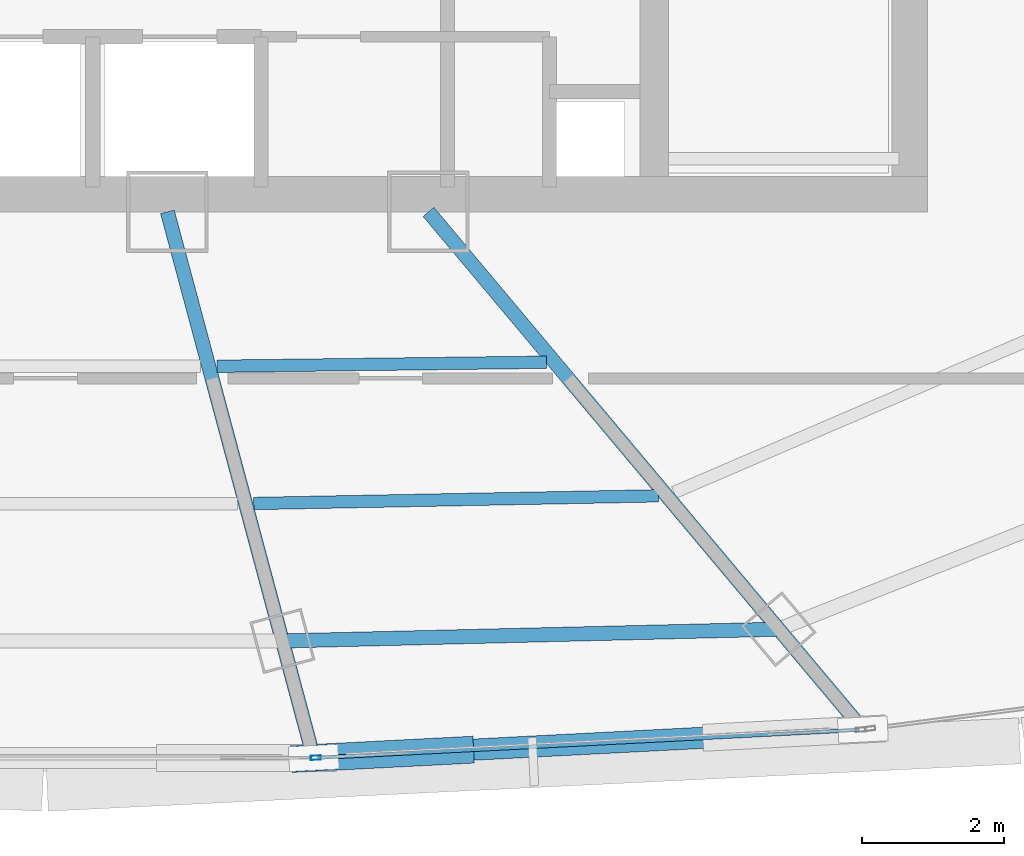
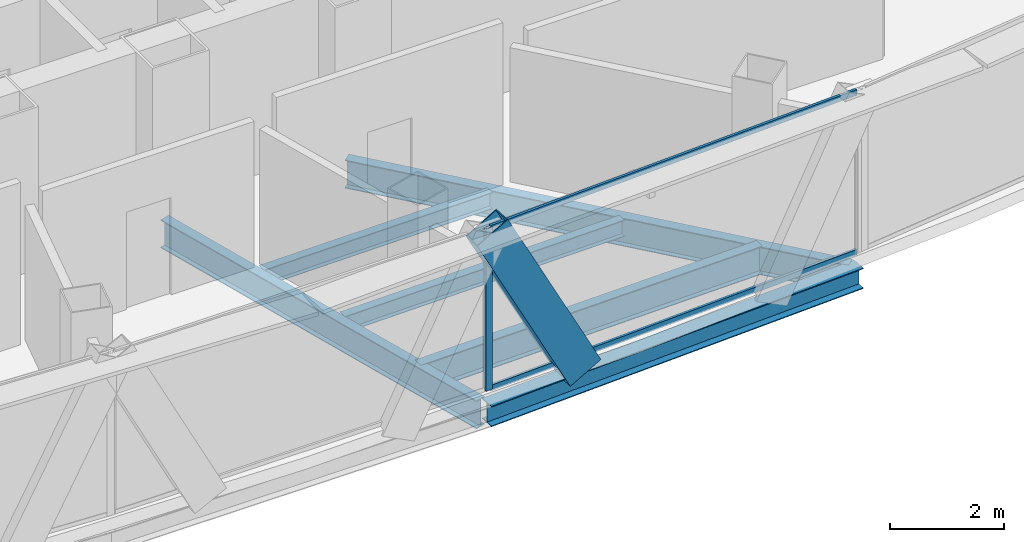
# One storey, part 10 of 35: 6 beams, 4 members, 1 element without a shape of its own.
"""IFC4 building model written with IfcOpenShell, lengths in metres."""

from ifc_helpers import new_model, si_unit, direction, frame, origin, origin_2d, place, context, subcontext, project, spatial, hollow_rectangle, i_section, extrude, source, transform, mapped, material, layer, layer_set, material_profile, profile_set, type_object, element, aggregate, save


model = new_model("IFC4")

# Units and contexts
model_context = context("Model", 3, precision=1e-05, world=origin(), true_north=direction((0.0, 1.0)))
body_context = subcontext(model_context, "Body", "Model", "MODEL_VIEW")
ifc_project = project(units=[si_unit("LENGTHUNIT", "METRE"), si_unit("AREAUNIT", "SQUARE_METRE"), si_unit("VOLUMEUNIT", "CUBIC_METRE"), si_unit("PLANEANGLEUNIT", "RADIAN"), si_unit("MASSUNIT", "GRAM", prefix="KILO"), si_unit("THERMODYNAMICTEMPERATUREUNIT", "KELVIN"), si_unit("POWERUNIT", "WATT")], contexts=[model_context])

# Site, building, storey
site_placement = place(None, origin())
site = spatial("IfcSite", under=ifc_project, at=site_placement, CompositionType="ELEMENT")
building_placement = place(site_placement, origin())
building = spatial("IfcBuilding", under=site, at=building_placement, Name="Yunzhuo Pagoda Commons", CompositionType="ELEMENT")
storey_placement = place(building_placement, frame((0.0, 0.0, 299.93994140625)))
storey = spatial("IfcBuildingStorey", under=building, at=storey_placement, Name="L75", CompositionType="ELEMENT", Elevation=299.93994140625)

# Beams
ifc_material_1 = material(Name="Structural steel Q355B", Category="steel")
ifc_material_profile_1 = material_profile(ifc_material_1, i_section(OverallWidth=0.175048828125, OverallDepth=0.35009765625, WebThickness=0.007080078125, FlangeThickness=0.010986328125, at=origin_2d()), Name="Structural steel Q355B")
ifc_profile_set_1 = profile_set([ifc_material_profile_1], Name="Structural steel Q355B")
beam_type_1 = type_object("IfcBeamType", Name="B-JS2 Joist HN 350x175x7x11", PredefinedType="JOIST", material=ifc_profile_set_1)
shared_shape_1 = source(origin(), body_context, "Body", "SweptSolid", [
    extrude(i_section(OverallWidth=0.175048828125, OverallDepth=0.35009765625, WebThickness=0.007080078125, FlangeThickness=0.010986328125, at=origin_2d()), origin(), (0.0, 0.0, 1.0), 4.64892578125),
])
beam_1_placement = place(storey_placement, frame((50.42724609375, 25.07177734375, -0.43505859375), z_axis=(0.999924495467, 0.012288342626, 0.0), x_axis=(-0.012288342626, 0.999924495467, 0.0)))
element("IfcBeam", 1, at=beam_1_placement, inside=storey, type_object=beam_type_1, Name="L75 composite ring joist 1.3", PredefinedType="JOIST", context=body_context, shape_type="MappedRepresentation", body=[
    mapped(shared_shape_1, transform((0.0, 0.0, 0.0), scale=1.0)),
])
shared_shape_2 = source(origin(), body_context, "Body", "SweptSolid", [
    extrude(i_section(OverallWidth=0.175048828125, OverallDepth=0.35009765625, WebThickness=0.007080078125, FlangeThickness=0.010986328125, at=origin_2d()), origin(), (0.0, 0.0, 1.0), 5.711669921875),
])
beam_2_placement = place(storey_placement, frame((50.9462890625, 23.135009765625, -0.43505859375), z_axis=(0.999819084998, 0.019020969297, 0.0), x_axis=(-0.019020969297, 0.999819084998, 0.0)))
element("IfcBeam", 2, at=beam_2_placement, inside=storey, type_object=beam_type_1, Name="L75 composite ring joist 2.3", PredefinedType="JOIST", context=body_context, shape_type="MappedRepresentation", body=[
    mapped(shared_shape_2, transform((0.0, 0.0, 0.0), scale=1.0)),
])
ifc_material_profile_2 = material_profile(ifc_material_1, i_section(OverallWidth=0.199951171875, OverallDepth=0.60009765625, WebThickness=0.010986328125, FlangeThickness=0.01708984375, at=origin_2d()), Name="Structural steel Q355B")
ifc_profile_set_2 = profile_set([ifc_material_profile_2], Name="Structural steel Q355B")
beam_type_2 = type_object("IfcBeamType", Name="B-RG3 Beam HN 600x200x11x17", PredefinedType="BEAM", material=ifc_profile_set_2)
shared_shape_3 = source(origin(), body_context, "Body", "SweptSolid", [
    extrude(i_section(OverallWidth=0.199951171875, OverallDepth=0.60009765625, WebThickness=0.010986328125, FlangeThickness=0.01708984375, at=origin_2d()), origin(), (0.0, 0.0, 1.0), 7.0048828125),
])
beam_3_placement = place(storey_placement, frame((51.3505859375, 21.195556640625, -0.56005859375), z_axis=(0.99971911704, 0.023699937233, 0.0), x_axis=(-0.023699937233, 0.99971911704, 0.0)))
element("IfcBeam", 3, at=beam_3_placement, inside=storey, type_object=beam_type_2, Name="L75 column-ring beam 3", PredefinedType="BEAM", context=body_context, shape_type="MappedRepresentation", body=[
    mapped(shared_shape_3, transform((0.0, 0.0, 0.0), scale=1.0)),
])
shared_shape_4 = source(origin(), body_context, "Body", "SweptSolid", [
    extrude(i_section(OverallWidth=0.199951171875, OverallDepth=0.60009765625, WebThickness=0.010986328125, FlangeThickness=0.01708984375, at=origin_2d()), origin(), (0.0, 0.0, 1.0), 7.820556640625),
])
beam_4_placement = place(storey_placement, frame((51.75244140625, 19.69580078125, -0.56005859375), z_axis=(-0.258793299875, 0.965932724334, 0.0), x_axis=(-0.965932724334, -0.258793299875, 0.0)))
element("IfcBeam", 4, at=beam_4_placement, inside=storey, type_object=beam_type_2, Name="L75 radial floor girder F1C3", PredefinedType="BEAM", context=body_context, shape_type="MappedRepresentation", body=[
    mapped(shared_shape_4, transform((0.0, 0.0, 0.0), scale=1.0)),
])
shared_shape_5 = source(origin(), body_context, "Body", "SweptSolid", [
    extrude(i_section(OverallWidth=0.199951171875, OverallDepth=0.60009765625, WebThickness=0.010986328125, FlangeThickness=0.01708984375, at=origin_2d()), origin(), (0.0, 0.0, 1.0), 9.380615234375),
])
beam_5_placement = place(storey_placement, frame((59.442138671875, 20.064208984375, -0.56005859375), z_axis=(-0.642814803085, 0.766021624325, 0.0), x_axis=(-0.766021624325, -0.642814803085, 0.0)))
element("IfcBeam", 5, at=beam_5_placement, inside=storey, type_object=beam_type_2, Name="L75 radial floor girder F1C4", PredefinedType="BEAM", context=body_context, shape_type="MappedRepresentation", body=[
    mapped(shared_shape_5, transform((0.0, 0.0, 0.0), scale=1.0)),
])
ifc_material_profile_3 = material_profile(ifc_material_1, i_section(OverallWidth=0.300048828125, OverallDepth=0.43994140625, WebThickness=0.010986328125, FlangeThickness=0.01806640625, at=origin_2d()), Name="Structural steel Q355B")
ifc_profile_set_3 = profile_set([ifc_material_profile_3], Name="Structural steel Q355B")
beam_type_3 = type_object("IfcBeamType", Name="B-SP2 Beam HM 440x300x11x18", PredefinedType="BEAM", material=ifc_profile_set_3)
shared_shape_6 = source(origin(), body_context, "Body", "SweptSolid", [
    extrude(i_section(OverallWidth=0.300048828125, OverallDepth=0.43994140625, WebThickness=0.010986328125, FlangeThickness=0.01806640625, at=origin_2d()), origin(), (0.0, 0.0, 1.0), 7.759033203125),
])
beam_6_placement = place(storey_placement, frame((51.792724609375, 19.5458984375, -0.47998046875), z_axis=(0.998672558279, 0.051508458928, 0.0), x_axis=(-0.051508458928, 0.998672558279, 0.0)))
element("IfcBeam", 6, at=beam_6_placement, inside=storey, type_object=beam_type_3, Name="L75 facade edge spandrel beam F1.3", PredefinedType="BEAM", context=body_context, shape_type="MappedRepresentation", body=[
    mapped(shared_shape_6, transform((0.0, 0.0, 0.0), scale=1.0)),
])

# Member
ifc_material_profile_4 = material_profile(ifc_material_1, hollow_rectangle(XDim=0.3798828125, YDim=0.719970703125, WallThickness=0.02001953125, at=origin_2d()), Name="Structural steel Q355B")
ifc_profile_set_4 = profile_set([ifc_material_profile_4], Name="Structural steel Q355B")
member_type_1 = type_object("IfcMemberType", Name="M-DL3 Brace BOX 720x380x20", PredefinedType="BRACE", material=ifc_profile_set_4)
shared_shape_7 = source(origin(), body_context, "Body", "SweptSolid", [
    extrude(hollow_rectangle(XDim=0.3798828125, YDim=0.719970703125, WallThickness=0.02001953125, at=origin_2d()), origin(), (0.0, 0.0, 1.0), 4.2041015625),
])
member_1_placement = place(storey_placement, frame((53.729736328125, 19.645751953125, -0.260009765625), z_axis=(-0.460739809413, -0.02375127074, 0.887217394532), x_axis=(0.051481930402, -0.998673926185, 0.0)))
element("IfcMember", 7, at=member_1_placement, inside=storey, type_object=member_type_1, Name="L75 facade diamond brace F1.3L", PredefinedType="BRACE", context=body_context, shape_type="MappedRepresentation", body=[
    mapped(shared_shape_7, transform((0.0, 0.0, 0.0), scale=1.0)),
])

# Curtain wall, members
ifc_material_2 = material(Name="Anodized aluminium 6063-T6", Category="aluminium")
ifc_layer = layer(ifc_material_2, 0.139892578125)
ifc_layer_set = layer_set([ifc_layer], Name="Anodized aluminium 6063-T6")
curtain_wall_type = type_object("IfcCurtainWallType", Name="CW-HI High-Zone Ribbon Curtain Wall", PredefinedType="NOTDEFINED", material=ifc_layer_set)
curtain_wall_placement = place(storey_placement, origin())
curtain_wall = element("IfcCurtainWall", 8, at=curtain_wall_placement, inside=storey, type_object=curtain_wall_type, Name="L75 curtain wall CW-L75-F1B4", PredefinedType="NOTDEFINED")
ifc_material_profile_5 = material_profile(ifc_material_2, hollow_rectangle(XDim=0.06005859375, YDim=0.139892578125, WallThickness=0.00341796875, at=origin_2d()), Name="Anodized aluminium 6063-T6")
ifc_profile_set_5 = profile_set([ifc_material_profile_5], Name="Anodized aluminium 6063-T6")
member_type_2 = type_object("IfcMemberType", Name="CW-HI-M Mullion RHS 140x60x3.5", PredefinedType="MULLION", material=ifc_profile_set_5)
shared_shape_8 = source(origin(), body_context, "Body", "SweptSolid", [
    extrude(hollow_rectangle(XDim=0.06005859375, YDim=0.139892578125, WallThickness=0.00341796875, at=origin_2d()), origin(), (0.0, 0.0, 1.0), 3.469970703125),
])
member_2_placement = place(storey_placement, frame((51.822509765625, 19.547607421875, 0.0), z_axis=(0.0, 0.0, 1.0), x_axis=(-0.051461616076, 0.998674973187, 0.0)))
member_2 = element("IfcMember", 9, at=member_2_placement, type_object=member_type_2, Name="CW mullion 1", PredefinedType="MULLION", context=body_context, shape_type="MappedRepresentation", body=[
    mapped(shared_shape_8, transform((0.0, 0.0, 0.0), scale=1.0)),
])
ifc_material_profile_6 = material_profile(ifc_material_2, hollow_rectangle(XDim=0.054931640625, YDim=0.1201171875, WallThickness=0.00341796875, at=origin_2d()), Name="Anodized aluminium 6063-T6")
ifc_profile_set_6 = profile_set([ifc_material_profile_6], Name="Anodized aluminium 6063-T6")
member_type_3 = type_object("IfcMemberType", Name="CW-HI-T Transom RHS 120x55x3.5", PredefinedType="USERDEFINED", material=ifc_profile_set_6)
shared_shape_9 = source(origin(), body_context, "Body", "SweptSolid", [
    extrude(hollow_rectangle(XDim=0.054931640625, YDim=0.1201171875, WallThickness=0.00341796875, at=origin_2d()), origin(), (0.0, 0.0, 1.0), 7.639404296875),
])
member_3_placement = place(storey_placement, frame((51.8525390625, 19.549072265625, 0.027587890625), z_axis=(0.998675480981, 0.05145176078, 0.0), x_axis=(-0.05145176078, 0.998675480981, 0.0)))
member_3 = element("IfcMember", 10, at=member_3_placement, type_object=member_type_3, Name="CW transom 1.1", ObjectType="TRANSOM", PredefinedType="USERDEFINED", context=body_context, shape_type="MappedRepresentation", body=[
    mapped(shared_shape_9, transform((0.0, 0.0, 0.0), scale=1.0)),
])
member_4_placement = place(storey_placement, frame((51.8525390625, 19.549072265625, 3.442626953125), z_axis=(0.998675480981, 0.05145176078, 0.0), x_axis=(-0.05145176078, 0.998675480981, 0.0)))
member_4 = element("IfcMember", 11, at=member_4_placement, type_object=member_type_3, Name="CW transom 1.2", ObjectType="TRANSOM", PredefinedType="USERDEFINED", context=body_context, shape_type="MappedRepresentation", body=[
    mapped(shared_shape_9, transform((0.0, 0.0, 0.0), scale=1.0)),
])
aggregate(curtain_wall, [member_2, member_3, member_4])

save(model, "model.ifc")
